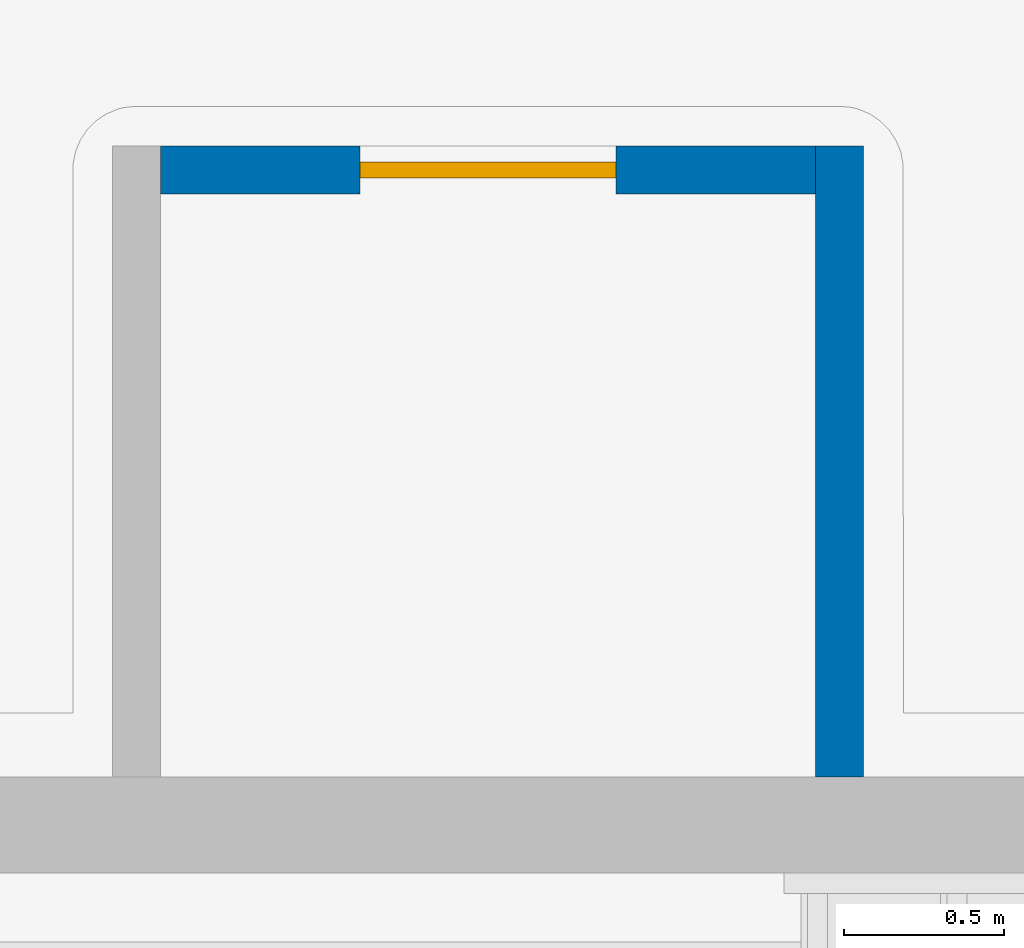
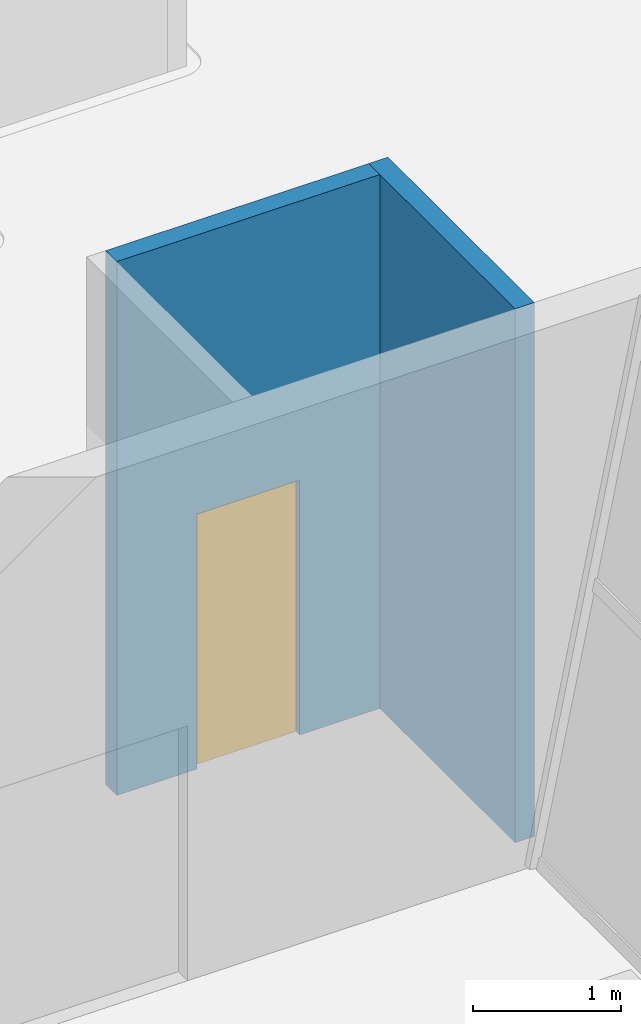
# One storey, part 32 of 58: 2 walls, 1 door, 1 opening.
"""IFC4 building model written with IfcOpenShell, lengths in metres."""

import ifcopenshell
import ifcopenshell.guid

model = None  # the IFC model being written
_history = None  # IfcOwnerHistory: only IFC2X3 demands one
_inside = {}  # id of a spatial element -> (the spatial element, [elements in it])
_under = {}  # id of a project, library or spatial element -> (it, [spatial elements below it])
_declared = {}  # id of a project -> (the project, [libraries it declares])
_typed = {}  # id of a type object -> (the type object, [elements of that type])
_made_of = {}  # id of a material, layer set ... -> (it, [elements and type objects made of it])


def new_model(schema):
    """Start an empty IFC model of exactly this schema.

    Asked for "IFC4X3", IfcOpenShell would pick the latest addendum, in which some entities
    have other attributes; the version numbers below select the first issue.
    IFC2X3 requires an IfcOwnerHistory on every rooted entity: one is made here for all.
    """
    global model, _history
    if schema == "IFC4X3":
        model = ifcopenshell.file(schema_version=(4, 3, 0, 0))
    else:
        model = ifcopenshell.file(schema=schema)
    _inside.clear()
    _under.clear()
    _declared.clear()
    _typed.clear()
    _made_of.clear()
    _history = None
    if model.schema == "IFC2X3":
        org = make("IfcOrganization", Name="unknown")
        user = make(
            "IfcPersonAndOrganization",
            ThePerson=make("IfcPerson", FamilyName="unknown"),
            TheOrganization=org,
        )
        app = make(
            "IfcApplication",
            ApplicationDeveloper=org,
            Version="unknown",
            ApplicationFullName="unknown",
            ApplicationIdentifier="unknown",
        )
        _history = make(
            "IfcOwnerHistory",
            OwningUser=user,
            OwningApplication=app,
            ChangeAction="ADDED",
            CreationDate=0,
        )
    return model


def make(cls, **values):
    """One entity of the class cls with the attributes given. An attribute that is None is left unset."""
    return model.create_entity(
        cls, **{name: value for name, value in values.items() if value is not None}
    )


def rooted(cls, **values):
    """An entity with a GlobalId (a new one), such as an element, a storey or a relation."""
    return make(cls, GlobalId=ifcopenshell.guid.new(), OwnerHistory=_history, **values)


def si_unit(unit_type, name, prefix=None):
    """IfcSIUnit, for example si_unit("LENGTHUNIT", "METRE", prefix="MILLI")."""
    return make("IfcSIUnit", UnitType=unit_type, Prefix=prefix, Name=name)


def assignment(units):
    """IfcUnitAssignment: the units of a project."""
    return None if units is None else make("IfcUnitAssignment", Units=units)


def point(xyz):
    """IfcCartesianPoint."""
    return None if xyz is None else make("IfcCartesianPoint", Coordinates=xyz)


def direction(xyz):
    """IfcDirection."""
    return None if xyz is None else make("IfcDirection", DirectionRatios=xyz)


def frame(location, z_axis=None, x_axis=None):
    """IfcAxis2Placement3D, a coordinate frame: its origin and axes. An axis left out is left unset."""
    return make(
        "IfcAxis2Placement3D",
        Location=point(location),
        Axis=direction(z_axis),
        RefDirection=direction(x_axis),
    )


def frame_2d(location, x_axis=None):
    """IfcAxis2Placement2D, a coordinate frame in the plane: its origin and x axis."""
    return make(
        "IfcAxis2Placement2D", Location=point(location), RefDirection=direction(x_axis)
    )


def origin():
    """The frame at (0, 0, 0) with its axes left unset."""
    return frame((0.0, 0.0, 0.0))


def place(relative_to, where):
    """IfcLocalPlacement: puts the frame where relative to a parent placement (None: the world)."""
    return make(
        "IfcLocalPlacement", PlacementRelTo=relative_to, RelativePlacement=where
    )


def context(
    kind, dimensions, precision=None, world=None, true_north=None, identifier=None
):
    """IfcGeometricRepresentationContext, for example the 3D "Model" context."""
    return make(
        "IfcGeometricRepresentationContext",
        ContextIdentifier=identifier,
        ContextType=kind,
        CoordinateSpaceDimension=dimensions,
        Precision=precision,
        WorldCoordinateSystem=world,
        TrueNorth=true_north,
    )


def subcontext(parent, identifier, kind, view, scale=None):
    """IfcGeometricRepresentationSubContext, for example "Body" below "Model"."""
    return make(
        "IfcGeometricRepresentationSubContext",
        ContextIdentifier=identifier,
        ContextType=kind,
        ParentContext=parent,
        TargetScale=scale,
        TargetView=view,
    )


def project(units=None, contexts=None):
    """IfcProject with its units and contexts."""
    return rooted(
        "IfcProject",
        Name="project",
        RepresentationContexts=contexts,
        UnitsInContext=assignment(units),
    )


def spatial(cls, under=None, at=None, **own):
    """A site, building, storey or space (cls), placed at a placement, below another one or the project."""
    s = rooted(cls, ObjectPlacement=at, **own)
    if under is not None:
        _under.setdefault(under.id(), (under, []))[1].append(s)
    return s


def profile(cls, at=None, kind="AREA", **sizes):
    """A parametric profile (cls). Its sizes go by their IFC names, for example OverallWidth=200.0."""
    return make(cls, ProfileType=kind, Position=at, **sizes)


def rectangle(**sizes):
    """IfcRectangleProfileDef."""
    return profile("IfcRectangleProfileDef", **sizes)


def extrude(swept, where, along, depth):
    """IfcExtrudedAreaSolid: the profile swept, set in the frame where, extruded along a direction by depth."""
    return make(
        "IfcExtrudedAreaSolid",
        SweptArea=swept,
        Position=where,
        ExtrudedDirection=direction(along),
        Depth=depth,
    )


def shape(context_of_items, identifier, shape_type, items):
    """IfcShapeRepresentation: the items that make up one representation, for example the "Body"."""
    return make(
        "IfcShapeRepresentation",
        ContextOfItems=context_of_items,
        RepresentationIdentifier=identifier,
        RepresentationType=shape_type,
        Items=items,
    )


def material(Name=None, Category=None):
    """IfcMaterial."""
    return make("IfcMaterial", Name=Name, Category=Category)


def layer(
    of_material, thickness, ventilated=None, Name=None, Category=None, Priority=None
):
    """IfcMaterialLayer: one layer of a wall or slab, of a material (None: an air gap)."""
    return make(
        "IfcMaterialLayer",
        Material=of_material,
        LayerThickness=thickness,
        IsVentilated=ventilated,
        Name=Name,
        Category=Category,
        Priority=Priority,
    )


def layer_set(layers, Name=None):
    """IfcMaterialLayerSet."""
    return make("IfcMaterialLayerSet", MaterialLayers=layers, LayerSetName=Name)


def made_of(thing, what):
    """Note that an element or type object is made of a material, layer set ...; save() writes the relation."""
    if what is not None:
        _made_of.setdefault(what.id(), (what, []))[1].append(thing)
    return thing


def type_object(cls, material=None, **own):
    """A type object (cls), such as IfcWallType, which elements share."""
    return made_of(rooted(cls, **own), material)


def element(
    cls,
    number,
    at=None,
    inside=None,
    cuts=None,
    type_object=None,
    material=None,
    context=None,
    identifier="Body",
    shape_type=None,
    held_by="IfcProductDefinitionShape",
    body=None,
    shapes=None,
    **own,
):
    """One element of the class cls, such as IfcWall. Its Tag is "e" and its number.

    at: its placement. inside: the storey or other place that contains it. cuts: it is an
    opening in that element (IfcRelVoidsElement). A single representation is given by context,
    identifier, shape_type and body (its items); several are given by shapes. held_by: the class
    of the entity that holds the representations. save() writes the other relations.
    """
    e = rooted(cls, Tag="e%d" % number, ObjectPlacement=at, **own)
    if body is not None:
        shapes = [shape(context, identifier, shape_type, body)]
    if shapes is not None:
        e.Representation = make(held_by, Representations=shapes)
    if inside is not None:
        _inside.setdefault(inside.id(), (inside, []))[1].append(e)
    if cuts is not None:
        rooted(
            "IfcRelVoidsElement", RelatingBuildingElement=cuts, RelatedOpeningElement=e
        )
    if type_object is not None:
        _typed.setdefault(type_object.id(), (type_object, []))[1].append(e)
    return made_of(e, material)


def fill(opening, filler):
    """IfcRelFillsElement: the door or window that sits in an opening."""
    return rooted(
        "IfcRelFillsElement",
        RelatingOpeningElement=opening,
        RelatedBuildingElement=filler,
    )


def aggregate(whole, parts):
    """IfcRelAggregates: a whole, such as a stair, and the parts it consists of."""
    return rooted("IfcRelAggregates", RelatingObject=whole, RelatedObjects=parts)


def save(model, path):
    """Write the relations noted so far, then the file.

    IfcRelAggregates (storeys below a building ...), IfcRelContainedInSpatialStructure (elements
    in a storey), IfcRelDefinesByType, IfcRelAssociatesMaterial and IfcRelDeclares: one each for
    every whole, place, type object, material and project.
    """
    for whole, parts in _under.values():
        aggregate(whole, parts)
    for where, things in _inside.values():
        rooted(
            "IfcRelContainedInSpatialStructure",
            RelatedElements=things,
            RelatingStructure=where,
        )
    for kind, things in _typed.values():
        rooted("IfcRelDefinesByType", RelatedObjects=things, RelatingType=kind)
    for what, things in _made_of.values():
        rooted("IfcRelAssociatesMaterial", RelatedObjects=things, RelatingMaterial=what)
    for by, libraries in _declared.values():
        rooted("IfcRelDeclares", RelatingContext=by, RelatedDefinitions=libraries)
    model.write(path)


model = new_model("IFC4")

# Units and contexts
model_context = context("Model", 3, precision=1e-05, world=origin(), true_north=direction((0.0, 1.0)))
body_context = subcontext(model_context, "Body", "Model", "MODEL_VIEW")
ifc_project = project(units=[si_unit("LENGTHUNIT", "METRE"), si_unit("AREAUNIT", "SQUARE_METRE"), si_unit("VOLUMEUNIT", "CUBIC_METRE"), si_unit("PLANEANGLEUNIT", "RADIAN"), si_unit("MASSUNIT", "GRAM", prefix="KILO")], contexts=[model_context])

# Site, building, storey
site_placement = place(None, origin())
site = spatial("IfcSite", under=ifc_project, at=site_placement, CompositionType="ELEMENT")
building_placement = place(site_placement, origin())
building = spatial("IfcBuilding", under=site, at=building_placement, Name="Windward Yard Aquatics Centre", CompositionType="ELEMENT")
storey_placement = place(building_placement, frame((0.0, 0.0, 13.800048828125)))
storey = spatial("IfcBuildingStorey", under=building, at=storey_placement, Name="L03", CompositionType="ELEMENT", Elevation=13.800048828125)

# Wall, opening, door
ifc_material_1 = material(Name="Blockwork 150 mm", Category="masonry")
ifc_layer = layer(ifc_material_1, 0.14990234375)
ifc_layer_set = layer_set([ifc_layer], Name="H Partition Blockwork 150")
wall_type = type_object("IfcWallType", Name="H Partition Blockwork 150", PredefinedType="PARTITIONING", material=ifc_layer_set)
wall_1_placement = place(storey_placement, frame((55.574951171875, 86.199951171875, 0.0), z_axis=(0.0, 0.0, 1.0), x_axis=(1.0, 0.0, 0.0)))
wall_1 = element("IfcWall", 1, at=wall_1_placement, inside=storey, type_object=wall_type, Name="L03 R2S riser wall NW", PredefinedType="PARTITIONING", context=body_context, shape_type="SweptSolid", body=[
    extrude(rectangle(XDim=2.050048828125, YDim=0.14990234375, at=frame_2d((1.02490234375, 0.0))), origin(), (0.0, 0.0, 1.0), 4.39990234375),
])
opening_placement = place(wall_1_placement, frame((0.625, 0.0, 0.0)))
opening = element("IfcOpeningElement", 2, at=opening_placement, cuts=wall_1, Name="Opening H3016", PredefinedType="OPENING", context=body_context, shape_type="SweptSolid", body=[
    extrude(rectangle(XDim=0.800048828125, YDim=2.10009765625, at=frame_2d((0.39990234375, 1.050048828125))), frame((0.0, 0.0849609375, 0.0), z_axis=(0.0, -1.0, 0.0), x_axis=(1.0, 0.0, 0.0)), (0.0, 0.0, 1.0), 0.169921875),
])
ifc_material_2 = material(Name="Steel and timber door leaf", Category="steel")
door_type = type_object("IfcDoorType", Name="H Door Riser 800 x 2100 FD60", OperationType="NOTDEFINED", PredefinedType="DOOR", material=ifc_material_2)
door_placement = place(opening_placement, origin())
door = element("IfcDoor", 3, at=door_placement, inside=storey, type_object=door_type, Name="L03 communications riser NW door", OperationType="SINGLE_SWING_LEFT", OverallHeight=2.10009765625, OverallWidth=0.800048828125, PredefinedType="DOOR", context=body_context, shape_type="SweptSolid", body=[
    extrude(rectangle(XDim=0.800048828125, YDim=2.10009765625, at=frame_2d((0.39990234375, 1.050048828125))), frame((0.0, 0.02490234375, 0.0), z_axis=(0.0, -1.0, 0.0), x_axis=(1.0, 0.0, 0.0)), (0.0, 0.0, 1.0), 0.050048828125),
])
fill(opening, door)

# Wall
wall_2_placement = place(storey_placement, frame((57.699951171875, 86.27490234375, 0.0), z_axis=(0.0, 0.0, 1.0), x_axis=(0.0, -1.0, 0.0)))
element("IfcWall", 4, at=wall_2_placement, inside=storey, type_object=wall_type, Name="L03 R2E riser wall NW", PredefinedType="PARTITIONING", context=body_context, shape_type="SweptSolid", body=[
    extrude(rectangle(XDim=1.974853515625, YDim=0.14990234375, at=frame_2d((0.9873046875, 0.0))), origin(), (0.0, 0.0, 1.0), 4.39990234375),
])

save(model, "model.ifc")
